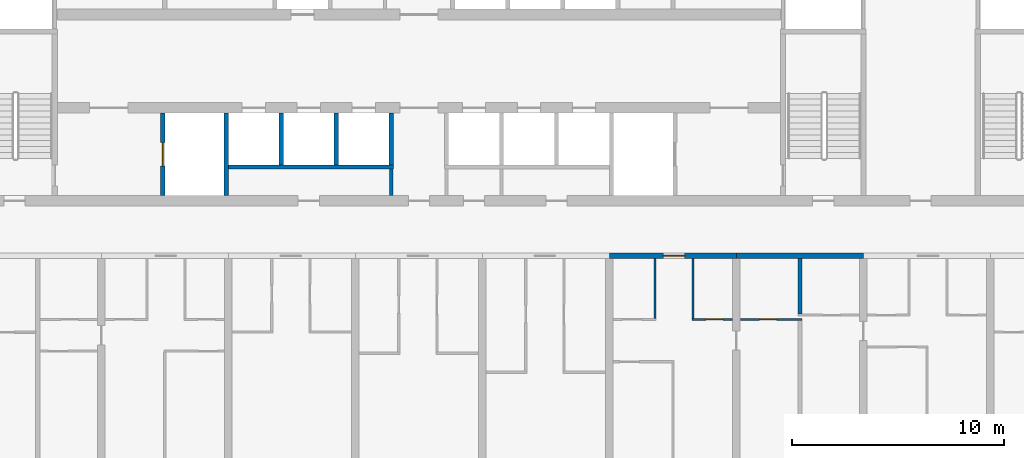
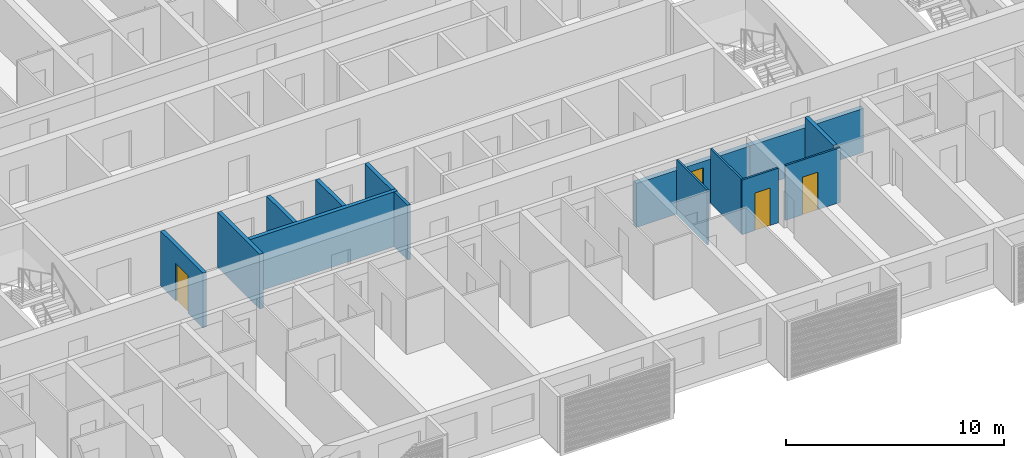
# One storey, part 6 of 25: 14 walls, 4 doors, 4 openings.
"""IFC4 building model written with IfcOpenShell, lengths in metres."""

from ifc_helpers import new_model, si_unit, direction, frame, frame_2d, origin, place, context, subcontext, project, spatial, rectangle, extrude, material, layer, layer_set, type_object, element, fill, save


model = new_model("IFC4")

# Units and contexts
model_context = context("Model", 3, precision=1e-05, world=origin(), true_north=direction((0.0, 1.0)))
body_context = subcontext(model_context, "Body", "Model", "MODEL_VIEW")
ifc_project = project(units=[si_unit("LENGTHUNIT", "METRE"), si_unit("AREAUNIT", "SQUARE_METRE"), si_unit("VOLUMEUNIT", "CUBIC_METRE"), si_unit("PLANEANGLEUNIT", "RADIAN"), si_unit("MASSUNIT", "GRAM", prefix="KILO")], contexts=[model_context])

# Site, building, storey
site_placement = place(None, origin())
site = spatial("IfcSite", under=ifc_project, at=site_placement, CompositionType="ELEMENT")
building_placement = place(site_placement, origin())
building = spatial("IfcBuilding", under=site, at=building_placement, Name="Poui Terraces", CompositionType="ELEMENT")
storey_placement = place(building_placement, frame((0.0, 0.0, 89.39990234375)))
storey = spatial("IfcBuildingStorey", under=building, at=storey_placement, Name="L24", CompositionType="ELEMENT", Elevation=89.39990234375)

# Wall
ifc_material_1 = material(Name="Fire-rated plasterboard wall")
ifc_layer_1 = layer(ifc_material_1, 0.14990234375)
ifc_layer_set_1 = layer_set([ifc_layer_1], Name="Fire-rated plasterboard wall")
wall_type_1 = type_object("IfcWallType", Name="CORRIDOR WALL 150", PredefinedType="PARTITIONING", material=ifc_layer_set_1)
wall_1_placement = place(storey_placement, frame((49.699951171875, 14.860107421875, 0.0), z_axis=(0.0, 0.0, 1.0), x_axis=(0.0, 1.0, 0.0)))
element("IfcWall", 1, at=wall_1_placement, inside=storey, type_object=wall_type_1, Name="CORRIDOR WALL 150", PredefinedType="PARTITIONING", context=body_context, shape_type="SweptSolid", body=[
    extrude(rectangle(XDim=1.239990234375, YDim=0.14990234375, at=frame_2d((0.6201171875, 0.0))), origin(), (0.0, 0.0, 1.0), 3.06005859375),
])

# Wall, opening, door
ifc_material_2 = material(Name="Concrete 65 MPa", Category="concrete")
ifc_layer_2 = layer(ifc_material_2, 0.25)
ifc_layer_set_2 = layer_set([ifc_layer_2], Name="Concrete 65 MPa")
wall_type_2 = type_object("IfcWallType", Name="CORRIDOR WALL 250 65MPa", PredefinedType="SHEAR", material=ifc_layer_set_2)
wall_2_placement = place(storey_placement, frame((60.0, 12.0, 0.0), z_axis=(0.0, 0.0, 1.0), x_axis=(1.0, 0.0, 0.0)))
wall_2 = element("IfcWall", 2, at=wall_2_placement, inside=storey, type_object=wall_type_2, Name="CORRIDOR WALL LINE B BAY 10", PredefinedType="SHEAR", context=body_context, shape_type="SweptSolid", body=[
    extrude(rectangle(XDim=6.0, YDim=0.25, at=frame_2d((3.0, 0.0))), origin(), (0.0, 0.0, 1.0), 2.460205078125),
])
opening_1_placement = place(wall_2_placement, frame((2.550048828125, 0.0, 0.0)))
opening_1 = element("IfcOpeningElement", 3, at=opening_1_placement, cuts=wall_2, Name="Opening FD30S", PredefinedType="OPENING", context=body_context, shape_type="SweptSolid", body=[
    extrude(rectangle(XDim=1.0, YDim=2.10009765625, at=frame_2d((0.5, 1.050048828125))), frame((0.0, 0.135009765625, 0.0), z_axis=(0.0, -1.0, 0.0), x_axis=(1.0, 0.0, 0.0)), (0.0, 0.0, 1.0), 0.27001953125),
])
ifc_material_3 = material(Name="Steel fire door", Category="steel")
door_type_1 = type_object("IfcDoorType", Name="FLAT ENTRANCE DOOR 1000 X 2100", OperationType="NOTDEFINED", PredefinedType="DOOR", material=ifc_material_3)
door_1_placement = place(opening_1_placement, frame((1.0, 0.0, 0.0), z_axis=(0.0, 0.0, 1.0), x_axis=(-1.0, 0.0, 0.0)))
door_1 = element("IfcDoor", 4, at=door_1_placement, inside=storey, type_object=door_type_1, Name="FLAT ENTRANCE DOOR 118", OperationType="SINGLE_SWING_LEFT", OverallHeight=2.10009765625, OverallWidth=1.0, PredefinedType="DOOR", context=body_context, shape_type="SweptSolid", body=[
    extrude(rectangle(XDim=1.0, YDim=2.10009765625, at=frame_2d((0.5, 1.050048828125))), frame((0.0, 0.02490234375, 0.0), z_axis=(0.0, -1.0, 0.0), x_axis=(1.0, 0.0, 0.0)), (0.0, 0.0, 1.0), 0.050048828125),
])
fill(opening_1, door_1)

# Wall
wall_3_placement = place(storey_placement, frame((66.0, 12.0, 0.0), z_axis=(0.0, 0.0, 1.0), x_axis=(1.0, 0.0, 0.0)))
element("IfcWall", 5, at=wall_3_placement, inside=storey, type_object=wall_type_2, Name="CORRIDOR WALL LINE B BAY 11", PredefinedType="SHEAR", context=body_context, shape_type="SweptSolid", body=[
    extrude(rectangle(XDim=6.0, YDim=0.25, at=frame_2d((3.0, 0.0))), origin(), (0.0, 0.0, 1.0), 2.460205078125),
])

# Wall, opening, door
ifc_material_4 = material(Name="Plasterboard partition")
ifc_layer_3 = layer(ifc_material_4, 0.10009765625)
ifc_layer_set_3 = layer_set([ifc_layer_3], Name="Plasterboard partition")
wall_type_3 = type_object("IfcWallType", Name="FLAT PARTITION 100", PredefinedType="PARTITIONING", material=ifc_layer_set_3)
wall_4_placement = place(storey_placement, frame((63.89990234375, 9.0, 0.0), z_axis=(0.0, 0.0, 1.0), x_axis=(1.0, 0.0, 0.0)))
wall_4 = element("IfcWall", 6, at=wall_4_placement, inside=storey, type_object=wall_type_3, Name="FLAT PARTITION 100", PredefinedType="PARTITIONING", context=body_context, shape_type="SweptSolid", body=[
    extrude(rectangle(XDim=1.9150390625, YDim=0.10009765625, at=frame_2d((0.95751953125, 0.0))), origin(), (0.0, 0.0, 1.0), 3.06005859375),
])
opening_2_placement = place(wall_4_placement, frame((0.675048828125, 0.0, 0.0)))
opening_2 = element("IfcOpeningElement", 7, at=opening_2_placement, cuts=wall_4, Name="Opening D80", PredefinedType="OPENING", context=body_context, shape_type="SweptSolid", body=[
    extrude(rectangle(XDim=0.800048828125, YDim=2.10009765625, at=frame_2d((0.39990234375, 1.050048828125))), frame((0.0, 0.06005859375, 0.0), z_axis=(0.0, -1.0, 0.0), x_axis=(1.0, 0.0, 0.0)), (0.0, 0.0, 1.0), 0.1201171875),
])
ifc_material_5 = material(Name="Solid core timber door", Category="wood")
door_type_2 = type_object("IfcDoorType", Name="BATHROOM, LAUNDRY AND STORE DOOR 800 X 2100", OperationType="NOTDEFINED", PredefinedType="DOOR", material=ifc_material_5)
door_2_placement = place(opening_2_placement, origin())
door_2 = element("IfcDoor", 8, at=door_2_placement, inside=storey, type_object=door_type_2, Name="BATHROOM, LAUNDRY AND STORE DOOR 119", OperationType="SINGLE_SWING_RIGHT", OverallHeight=2.10009765625, OverallWidth=0.800048828125, PredefinedType="DOOR", context=body_context, shape_type="SweptSolid", body=[
    extrude(rectangle(XDim=0.800048828125, YDim=2.10009765625, at=frame_2d((0.39990234375, 1.050048828125))), frame((0.0, 0.02490234375, 0.0), z_axis=(0.0, -1.0, 0.0), x_axis=(1.0, 0.0, 0.0)), (0.0, 0.0, 1.0), 0.050048828125),
])
fill(opening_2, door_2)

wall_5_placement = place(storey_placement, frame((66.18505859375, 9.0, 0.0), z_axis=(0.0, 0.0, 1.0), x_axis=(1.0, 0.0, 0.0)))
wall_5 = element("IfcWall", 9, at=wall_5_placement, inside=storey, type_object=wall_type_3, Name="FLAT PARTITION 100", PredefinedType="PARTITIONING", context=body_context, shape_type="SweptSolid", body=[
    extrude(rectangle(XDim=2.9150390625, YDim=0.10009765625, at=frame_2d((1.45751953125, 0.0))), origin(), (0.0, 0.0, 1.0), 3.06005859375),
])
opening_3_placement = place(wall_5_placement, frame((0.9150390625, 0.0, 0.0)))
opening_3 = element("IfcOpeningElement", 10, at=opening_3_placement, cuts=wall_5, Name="Opening D80", PredefinedType="OPENING", context=body_context, shape_type="SweptSolid", body=[
    extrude(rectangle(XDim=0.800048828125, YDim=2.10009765625, at=frame_2d((0.39990234375, 1.050048828125))), frame((0.0, 0.06005859375, 0.0), z_axis=(0.0, -1.0, 0.0), x_axis=(1.0, 0.0, 0.0)), (0.0, 0.0, 1.0), 0.1201171875),
])
door_3_placement = place(opening_3_placement, origin())
door_3 = element("IfcDoor", 11, at=door_3_placement, inside=storey, type_object=door_type_2, Name="BATHROOM, LAUNDRY AND STORE DOOR 115", OperationType="SINGLE_SWING_LEFT", OverallHeight=2.10009765625, OverallWidth=0.800048828125, PredefinedType="DOOR", context=body_context, shape_type="SweptSolid", body=[
    extrude(rectangle(XDim=0.800048828125, YDim=2.10009765625, at=frame_2d((0.39990234375, 1.050048828125))), frame((0.0, 0.02490234375, 0.0), z_axis=(0.0, -1.0, 0.0), x_axis=(1.0, 0.0, 0.0)), (0.0, 0.0, 1.0), 0.050048828125),
])
fill(opening_3, door_3)

# Walls
for number, where, z_axis, x_axis, name in (
    (12, (62.14990234375, 9.050048828125, 0.0), (0.0, 0.0, 1.0), (0.0, 1.0, 0.0), "FLAT PARTITION 100"),
    (13, (63.949951171875, 9.050048828125, 0.0), (0.0, 0.0, 1.0), (0.0, 1.0, 0.0), "FLAT PARTITION 100"),
):
    element("IfcWall", number, at=place(storey_placement, frame(where, z_axis=z_axis, x_axis=x_axis)), inside=storey, type_object=wall_type_3, Name=name, PredefinedType="PARTITIONING", context=body_context, shape_type="SweptSolid", body=[
        extrude(rectangle(XDim=2.81494140625, YDim=0.10009765625, at=frame_2d((1.407470703125, 0.0))), origin(), (0.0, 0.0, 1.0), 3.06005859375),
    ])
ifc_material_6 = material(Name="Fire-rated masonry wall", Category="masonry")
ifc_layer_4 = layer(ifc_material_6, 0.199951171875)
ifc_layer_set_4 = layer_set([ifc_layer_4], Name="Fire-rated masonry wall")
wall_type_4 = type_object("IfcWallType", Name="FLAT PARTY WALL 200", PredefinedType="PARTITIONING", material=ifc_layer_set_4)
wall_6_placement = place(storey_placement, frame((69.0, 9.25, 0.0), z_axis=(0.0, 0.0, 1.0), x_axis=(0.0, 1.0, 0.0)))
element("IfcWall", 14, at=wall_6_placement, inside=storey, type_object=wall_type_4, Name="FLAT PARTY WALL 200", PredefinedType="PARTITIONING", context=body_context, shape_type="SweptSolid", body=[
    extrude(rectangle(XDim=2.614990234375, YDim=0.199951171875, at=frame_2d((1.3076171875, 0.0))), origin(), (0.0, 0.0, 1.0), 3.06005859375),
])
ifc_material_7 = material(Name="Fire-rated masonry shaft wall", Category="masonry")
ifc_layer_5 = layer(ifc_material_7, 0.199951171875)
ifc_layer_set_5 = layer_set([ifc_layer_5], Name="Fire-rated masonry shaft wall")
wall_type_5 = type_object("IfcWallType", Name="SHAFT WALL 200", PredefinedType="PARTITIONING", material=ifc_layer_set_5)
wall_7_placement = place(storey_placement, frame((42.0, 16.199951171875, 0.0), z_axis=(0.0, 0.0, 1.0), x_axis=(1.0, 0.0, 0.0)))
element("IfcWall", 15, at=wall_7_placement, inside=storey, type_object=wall_type_5, Name="SHAFT WALL 200", PredefinedType="PARTITIONING", context=body_context, shape_type="SweptSolid", body=[
    extrude(rectangle(XDim=7.800048828125, YDim=0.199951171875, at=frame_2d((3.89990234375, 0.0))), origin(), (0.0, 0.0, 1.0), 3.06005859375),
])

# Wall, opening, door
wall_8_placement = place(storey_placement, frame((38.89990234375, 14.860107421875, 0.0), z_axis=(0.0, 0.0, 1.0), x_axis=(0.0, 1.0, 0.0)))
wall_8 = element("IfcWall", 16, at=wall_8_placement, inside=storey, type_object=wall_type_5, Name="SHAFT WALL 200", PredefinedType="PARTITIONING", context=body_context, shape_type="SweptSolid", body=[
    extrude(rectangle(XDim=3.8798828125, YDim=0.199951171875, at=frame_2d((1.93994140625, 0.0))), origin(), (0.0, 0.0, 1.0), 3.06005859375),
])
opening_4_placement = place(wall_8_placement, frame((1.389892578125, 0.0, 0.0)))
opening_4 = element("IfcOpeningElement", 17, at=opening_4_placement, cuts=wall_8, Name="Opening LD", PredefinedType="OPENING", context=body_context, shape_type="SweptSolid", body=[
    extrude(rectangle(XDim=1.10009765625, YDim=2.10009765625, at=frame_2d((0.550048828125, 1.050048828125))), frame((0.0, 0.10986328125, 0.0), z_axis=(0.0, -1.0, 0.0), x_axis=(1.0, 0.0, 0.0)), (0.0, 0.0, 1.0), 0.219970703125),
])
ifc_material_8 = material(Name="Stainless steel sliding door", Category="steel")
door_type_3 = type_object("IfcDoorType", Name="LIFT LANDING DOOR 1100 X 2100", OperationType="DOUBLE_DOOR_SLIDING", PredefinedType="DOOR", material=ifc_material_8)
door_4_placement = place(opening_4_placement, origin())
door_4 = element("IfcDoor", 18, at=door_4_placement, inside=storey, type_object=door_type_3, Name="LANDING DOOR", OperationType="DOUBLE_DOOR_SLIDING", OverallHeight=2.10009765625, OverallWidth=1.10009765625, PredefinedType="DOOR", context=body_context, shape_type="SweptSolid", body=[
    extrude(rectangle(XDim=1.10009765625, YDim=2.10009765625, at=frame_2d((0.550048828125, 1.050048828125))), frame((0.0, 0.02490234375, 0.0), z_axis=(0.0, -1.0, 0.0), x_axis=(1.0, 0.0, 0.0)), (0.0, 0.0, 1.0), 0.050048828125),
])
fill(opening_4, door_4)

# Walls
wall_9_placement = place(storey_placement, frame((41.89990234375, 14.860107421875, 0.0), z_axis=(0.0, 0.0, 1.0), x_axis=(0.0, 1.0, 0.0)))
element("IfcWall", 19, at=wall_9_placement, inside=storey, type_object=wall_type_5, Name="SHAFT WALL 200", PredefinedType="PARTITIONING", context=body_context, shape_type="SweptSolid", body=[
    extrude(rectangle(XDim=3.8798828125, YDim=0.199951171875, at=frame_2d((1.93994140625, 0.0))), origin(), (0.0, 0.0, 1.0), 3.06005859375),
])
for number, where, z_axis, x_axis, name in (
    (20, (44.5, 16.300048828125, 0.0), (0.0, 0.0, 1.0), (0.0, 1.0, 0.0), "SHAFT WALL 200"),
    (21, (47.10009765625, 16.300048828125, 0.0), (0.0, 0.0, 1.0), (0.0, 1.0, 0.0), "SHAFT WALL 200"),
    (22, (49.699951171875, 16.300048828125, 0.0), (0.0, 0.0, 1.0), (0.0, 1.0, 0.0), "SHAFT WALL 200"),
):
    element("IfcWall", number, at=place(storey_placement, frame(where, z_axis=z_axis, x_axis=x_axis)), inside=storey, type_object=wall_type_5, Name=name, PredefinedType="PARTITIONING", context=body_context, shape_type="SweptSolid", body=[
        extrude(rectangle(XDim=2.43994140625, YDim=0.199951171875, at=frame_2d((1.219970703125, 0.0))), origin(), (0.0, 0.0, 1.0), 3.06005859375),
    ])

save(model, "model.ifc")
